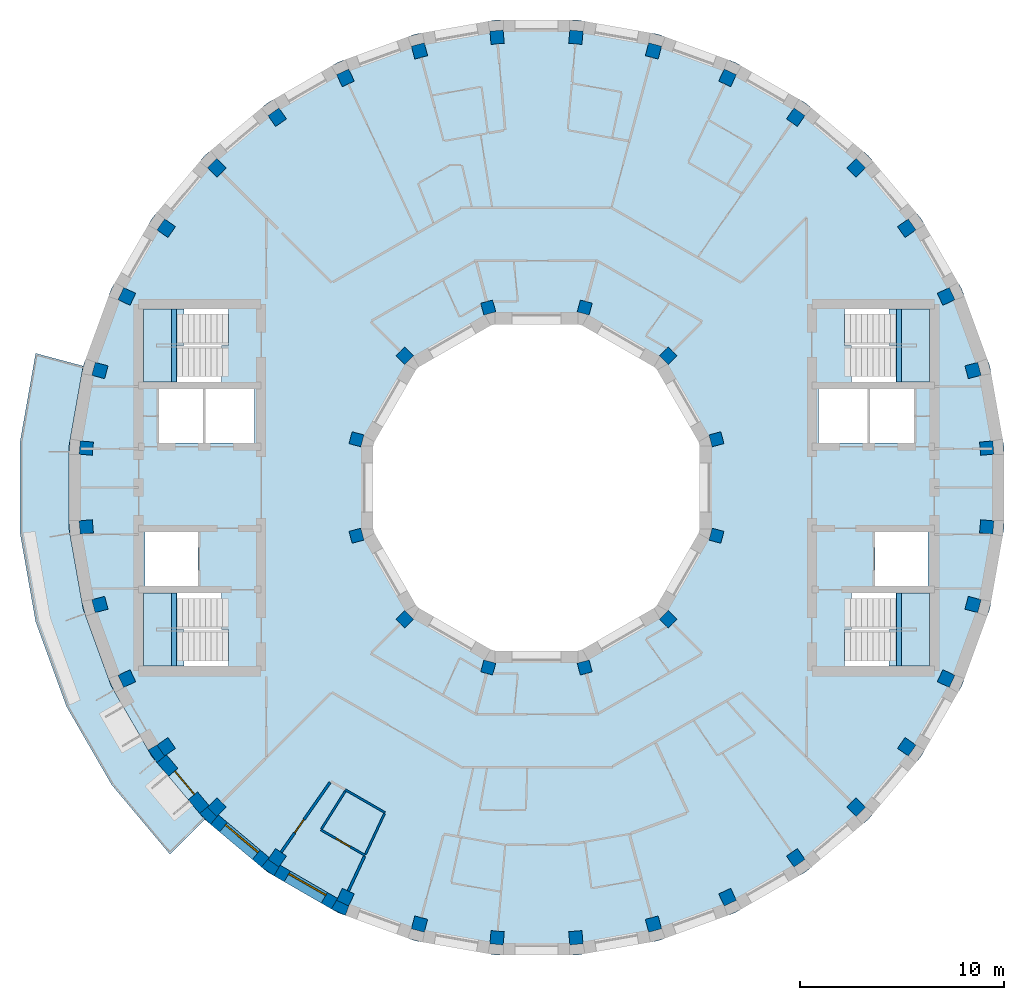
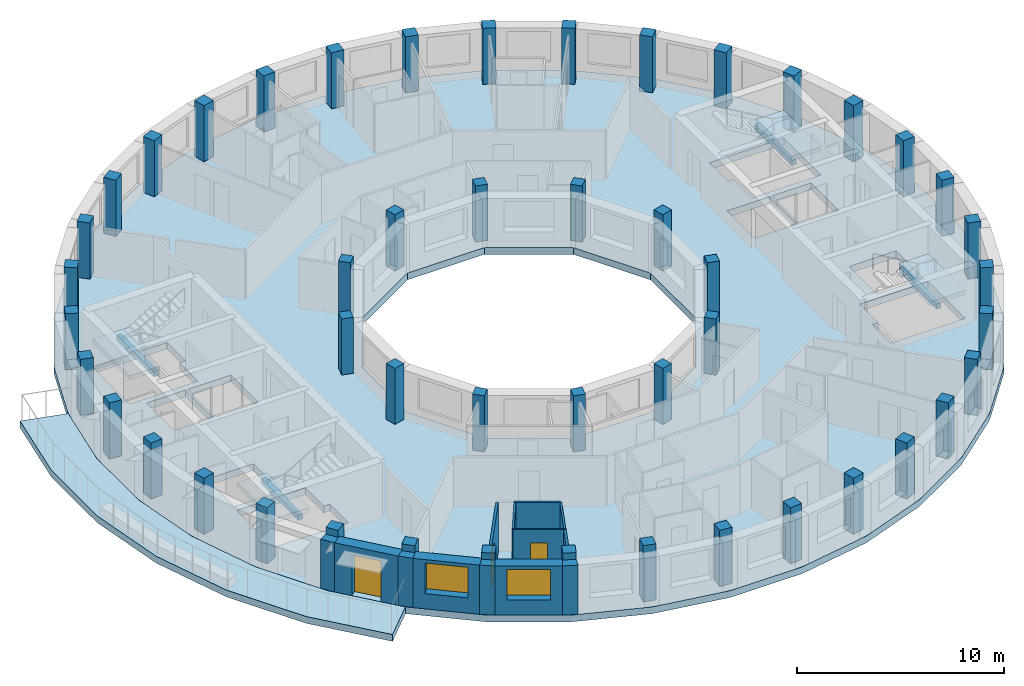
# One storey, part 1 of 10: 48 columns, 13 walls, 6 slabs, 4 beams, 3 doors, 2 windows, 5 openings, 4 elements without a shape of their own.
"""IFC4 building model written with IfcOpenShell, lengths in metres."""

from ifc_helpers import new_model, si_unit, direction, frame, frame_2d, origin, origin_2d, place, context, subcontext, project, spatial, polyline, rectangle, outline, extrude, material, layer, layer_set, material_profile, profile_set, type_object, element, fill, aggregate, save


model = new_model("IFC4")

# Units and contexts
model_context = context("Model", 3, precision=1e-05, world=origin(), true_north=direction((0.0, 1.0)))
body_context = subcontext(model_context, "Body", "Model", "MODEL_VIEW")
ifc_project = project(units=[si_unit("LENGTHUNIT", "METRE"), si_unit("AREAUNIT", "SQUARE_METRE"), si_unit("VOLUMEUNIT", "CUBIC_METRE"), si_unit("PLANEANGLEUNIT", "RADIAN"), si_unit("MASSUNIT", "GRAM", prefix="KILO")], contexts=[model_context])

# Site, building, storey
site_placement = place(None, origin())
site = spatial("IfcSite", under=ifc_project, at=site_placement, CompositionType="ELEMENT")
building_placement = place(site_placement, origin())
building = spatial("IfcBuilding", under=site, at=building_placement, Name="Saqina Gate Tower", CompositionType="ELEMENT")
storey_placement = place(building_placement, frame((0.0, 0.0, 249.5)))
storey = spatial("IfcBuildingStorey", under=building, at=storey_placement, Name="L71", CompositionType="ELEMENT", Elevation=249.5)

# Columns
ifc_material_1 = material(Name="Concrete C60/75", Category="concrete")
ifc_material_profile_1 = material_profile(ifc_material_1, rectangle(XDim=0.60009765625, YDim=0.60009765625, at=origin_2d()), Name="RC 600x600")
ifc_profile_set_1 = profile_set([ifc_material_profile_1], Name="Concrete C60/75")
column_type_1 = type_object("IfcColumnType", Name="STR-COL-IN-D", PredefinedType="COLUMN", material=ifc_profile_set_1)
for number, where, z_axis, x_axis, name in (
    (1, (8.821044921875, 2.363525390625, 0.0), (0.0, 0.0, 1.0), (0.965925826289, 0.258819045103, 0.0), "L71-ICL01"),
    (2, (6.45751953125, 6.45751953125, 0.0), (0.0, 0.0, 1.0), (0.707106781187, 0.707106781187, 0.0), "L71-ICL02"),
    (3, (2.363525390625, 8.821044921875, 0.0), (0.0, 0.0, 1.0), (0.258819045103, 0.965925826289, 0.0), "L71-ICL03"),
    (4, (-2.363525390625, 8.821044921875, 0.0), (0.0, 0.0, 1.0), (-0.258819045103, 0.965925826289, 0.0), "L71-ICL04"),
    (5, (-6.45751953125, 6.45751953125, 0.0), (0.0, 0.0, 1.0), (-0.707106781187, 0.707106781187, 0.0), "L71-ICL05"),
    (6, (-8.821044921875, 2.363525390625, 0.0), (0.0, 0.0, 1.0), (-0.965925826289, 0.258819045103, 0.0), "L71-ICL06"),
    (7, (-8.821044921875, -2.363525390625, 0.0), (0.0, 0.0, 1.0), (-0.965925826289, -0.258819045103, 0.0), "L71-ICL07"),
    (8, (-6.45751953125, -6.45751953125, 0.0), (0.0, 0.0, 1.0), (-0.707106781187, -0.707106781187, 0.0), "L71-ICL08"),
    (9, (-2.363525390625, -8.821044921875, 0.0), (0.0, 0.0, 1.0), (-0.258819045103, -0.965925826289, 0.0), "L71-ICL09"),
    (10, (2.363525390625, -8.821044921875, 0.0), (0.0, 0.0, 1.0), (0.258819045103, -0.965925826289, 0.0), "L71-ICL10"),
    (11, (6.45751953125, -6.45751953125, 0.0), (0.0, 0.0, 1.0), (0.707106781187, -0.707106781187, 0.0), "L71-ICL11"),
    (12, (8.821044921875, -2.363525390625, 0.0), (0.0, 0.0, 1.0), (0.965925826289, -0.258819045103, 0.0), "L71-ICL12"),
):
    element("IfcColumn", number, at=place(storey_placement, frame(where, z_axis=z_axis, x_axis=x_axis)), inside=storey, type_object=column_type_1, Name=name, PredefinedType="COLUMN", context=body_context, shape_type="SweptSolid", body=[
        extrude(rectangle(XDim=0.60009765625, YDim=0.60009765625, at=origin_2d()), origin(), (0.0, 0.0, 1.0), 3.300048828125),
    ])
ifc_material_2 = material(Name="Concrete C60/75", Category="concrete")
ifc_material_profile_2 = material_profile(ifc_material_2, rectangle(XDim=0.64990234375, YDim=0.64990234375, at=origin_2d()), Name="RC 650x650")
ifc_profile_set_2 = profile_set([ifc_material_profile_2], Name="Concrete C60/75")
column_type_2 = type_object("IfcColumnType", Name="STR-COL-OUT-D", PredefinedType="COLUMN", material=ifc_profile_set_2)
for number, where, z_axis, x_axis, name in (
    (13, (22.065673828125, 1.930419921875, 0.0), (0.0, 0.0, 1.0), (0.996194698092, 0.087155742748, 0.0), "L71-COL01"),
    (14, (21.395263671875, 5.73291015625, 0.0), (0.0, 0.0, 1.0), (0.965925826289, 0.258819045103, 0.0), "L71-COL02"),
    (15, (20.07470703125, 9.361083984375, 0.0), (0.0, 0.0, 1.0), (0.906307787037, 0.422618261741, 0.0), "L71-COL03"),
    (16, (18.144287109375, 12.704833984375, 0.0), (0.0, 0.0, 1.0), (0.819152044289, 0.573576436351, 0.0), "L71-COL04"),
    (17, (15.662353515625, 15.662353515625, 0.0), (0.0, 0.0, 1.0), (0.707106781187, 0.707106781187, 0.0), "L71-COL05"),
    (18, (12.704833984375, 18.144287109375, 0.0), (0.0, 0.0, 1.0), (0.573576436351, 0.819152044289, 0.0), "L71-COL06"),
    (19, (9.361083984375, 20.07470703125, 0.0), (0.0, 0.0, 1.0), (0.422618261741, 0.906307787037, 0.0), "L71-COL07"),
    (20, (5.73291015625, 21.395263671875, 0.0), (0.0, 0.0, 1.0), (0.258819045103, 0.965925826289, 0.0), "L71-COL08"),
    (21, (1.930419921875, 22.065673828125, 0.0), (0.0, 0.0, 1.0), (0.087155742748, 0.996194698092, 0.0), "L71-COL09"),
    (22, (-1.930419921875, 22.065673828125, 0.0), (0.0, 0.0, 1.0), (-0.087155742748, 0.996194698092, 0.0), "L71-COL10"),
    (23, (-5.73291015625, 21.395263671875, 0.0), (0.0, 0.0, 1.0), (-0.258819045103, 0.965925826289, 0.0), "L71-COL11"),
    (24, (-9.361083984375, 20.07470703125, 0.0), (0.0, 0.0, 1.0), (-0.422618261741, 0.906307787037, 0.0), "L71-COL12"),
    (25, (-12.704833984375, 18.144287109375, 0.0), (0.0, 0.0, 1.0), (-0.573576436351, 0.819152044289, 0.0), "L71-COL13"),
    (26, (-15.662353515625, 15.662353515625, 0.0), (0.0, 0.0, 1.0), (-0.707106781187, 0.707106781187, 0.0), "L71-COL14"),
    (27, (-18.144287109375, 12.704833984375, 0.0), (0.0, 0.0, 1.0), (-0.819152044289, 0.573576436351, 0.0), "L71-COL15"),
    (28, (-20.07470703125, 9.361083984375, 0.0), (0.0, 0.0, 1.0), (-0.906307787037, 0.422618261741, 0.0), "L71-COL16"),
    (29, (-21.395263671875, 5.73291015625, 0.0), (0.0, 0.0, 1.0), (-0.965925826289, 0.258819045103, 0.0), "L71-COL17"),
    (30, (-22.065673828125, 1.930419921875, 0.0), (0.0, 0.0, 1.0), (-0.996194698092, 0.087155742748, 0.0), "L71-COL18"),
    (31, (-22.065673828125, -1.930419921875, 0.0), (0.0, 0.0, 1.0), (-0.996194698092, -0.087155742748, 0.0), "L71-COL19"),
    (32, (-21.395263671875, -5.73291015625, 0.0), (0.0, 0.0, 1.0), (-0.965925826289, -0.258819045103, 0.0), "L71-COL20"),
    (33, (-20.07470703125, -9.361083984375, 0.0), (0.0, 0.0, 1.0), (-0.906307787037, -0.422618261741, 0.0), "L71-COL21"),
    (34, (-18.144287109375, -12.704833984375, 0.0), (0.0, 0.0, 1.0), (-0.819152044289, -0.573576436351, 0.0), "L71-COL22"),
    (35, (-15.662353515625, -15.662353515625, 0.0), (0.0, 0.0, 1.0), (-0.707106781187, -0.707106781187, 0.0), "L71-COL23"),
    (36, (-12.704833984375, -18.144287109375, 0.0), (0.0, 0.0, 1.0), (-0.573576436351, -0.819152044289, 0.0), "L71-COL24"),
    (37, (-9.361083984375, -20.07470703125, 0.0), (0.0, 0.0, 1.0), (-0.422618261741, -0.906307787037, 0.0), "L71-COL25"),
    (38, (-5.73291015625, -21.395263671875, 0.0), (0.0, 0.0, 1.0), (-0.258819045103, -0.965925826289, 0.0), "L71-COL26"),
    (39, (-1.930419921875, -22.065673828125, 0.0), (0.0, 0.0, 1.0), (-0.087155742748, -0.996194698092, 0.0), "L71-COL27"),
    (40, (1.930419921875, -22.065673828125, 0.0), (0.0, 0.0, 1.0), (0.087155742748, -0.996194698092, 0.0), "L71-COL28"),
    (41, (5.73291015625, -21.395263671875, 0.0), (0.0, 0.0, 1.0), (0.258819045103, -0.965925826289, 0.0), "L71-COL29"),
    (42, (9.361083984375, -20.07470703125, 0.0), (0.0, 0.0, 1.0), (0.422618261741, -0.906307787037, 0.0), "L71-COL30"),
    (43, (12.704833984375, -18.144287109375, 0.0), (0.0, 0.0, 1.0), (0.573576436351, -0.819152044289, 0.0), "L71-COL31"),
    (44, (15.662353515625, -15.662353515625, 0.0), (0.0, 0.0, 1.0), (0.707106781187, -0.707106781187, 0.0), "L71-COL32"),
    (45, (18.144287109375, -12.704833984375, 0.0), (0.0, 0.0, 1.0), (0.819152044289, -0.573576436351, 0.0), "L71-COL33"),
    (46, (20.07470703125, -9.361083984375, 0.0), (0.0, 0.0, 1.0), (0.906307787037, -0.422618261741, 0.0), "L71-COL34"),
    (47, (21.395263671875, -5.73291015625, 0.0), (0.0, 0.0, 1.0), (0.965925826289, -0.258819045103, 0.0), "L71-COL35"),
    (48, (22.065673828125, -1.930419921875, 0.0), (0.0, 0.0, 1.0), (0.996194698092, -0.087155742748, 0.0), "L71-COL36"),
):
    element("IfcColumn", number, at=place(storey_placement, frame(where, z_axis=z_axis, x_axis=x_axis)), inside=storey, type_object=column_type_2, Name=name, PredefinedType="COLUMN", context=body_context, shape_type="SweptSolid", body=[
        extrude(rectangle(XDim=0.64990234375, YDim=0.64990234375, at=origin_2d()), origin(), (0.0, 0.0, 1.0), 3.300048828125),
    ])

# Beams
ifc_material_3 = material(Name="Concrete C40/50", Category="concrete")
ifc_material_profile_3 = material_profile(ifc_material_3, rectangle(XDim=0.25, YDim=0.300048828125, at=origin_2d()), Name="STAIR LANDING BEAM")
ifc_profile_set_3 = profile_set([ifc_material_profile_3], Name="Concrete C40/50")
beam_type = type_object("IfcBeamType", Name="STAIR LANDING BEAM", PredefinedType="BEAM", material=ifc_profile_set_3)
for number, where, z_axis, x_axis, name in (
    (49, (17.77001953125, 5.175048828125, 1.25), (0.0, 1.0, 0.0), (-1.0, 0.0, 0.0), "EXIT STAIR 1 LANDING BEAM"),
    (50, (17.77001953125, -8.75, 1.25), (0.0, 1.0, 0.0), (-1.0, 0.0, 0.0), "EXIT STAIR 2 LANDING BEAM"),
    (51, (-17.77001953125, 5.175048828125, 1.25), (0.0, 1.0, 0.0), (-1.0, 0.0, 0.0), "EXIT STAIR 3 LANDING BEAM"),
    (52, (-17.77001953125, -8.75, 1.25), (0.0, 1.0, 0.0), (-1.0, 0.0, 0.0), "EXIT STAIR 4 LANDING BEAM"),
):
    element("IfcBeam", number, at=place(storey_placement, frame(where, z_axis=z_axis, x_axis=x_axis)), inside=storey, type_object=beam_type, Name=name, PredefinedType="BEAM", context=body_context, shape_type="SweptSolid", body=[
        extrude(rectangle(XDim=0.25, YDim=0.300048828125, at=origin_2d()), origin(), (0.0, 0.0, 1.0), 3.574951171875),
    ])

# Stair, slab
ifc_material_4 = material(Name="Concrete C40/50", Category="concrete")
stair_type = type_object("IfcStairType", Name="EXIT STAIR", PredefinedType="HALF_TURN_STAIR", material=ifc_material_4)
stair_1_placement = place(storey_placement, origin())
stair_1 = element("IfcStair", 53, at=stair_1_placement, inside=storey, type_object=stair_type, Name="EXIT STAIR 1", PredefinedType="HALF_TURN_STAIR")
ifc_material_5 = material(Name="Concrete C40/50", Category="concrete")
ifc_layer_1 = layer(ifc_material_5, 0.25)
ifc_layer_set_1 = layer_set([ifc_layer_1], Name="Concrete C40/50")
slab_type_1 = type_object("IfcSlabType", Name="EXIT STAIR LANDING", PredefinedType="LANDING", material=ifc_layer_set_1)
slab_1_placement = place(storey_placement, frame((0.0, 0.0, 1.39990234375)))
slab_1 = element("IfcSlab", 54, at=slab_1_placement, type_object=slab_type_1, Name="EXIT STAIR 1 LANDING 1", PredefinedType="LANDING", context=body_context, shape_type="SweptSolid", body=[
    extrude(outline(polyline([(19.25, 8.75), (19.25, 5.175048828125), (17.614990234375, 5.175048828125), (17.614990234375, 6.96240234375), (17.284423828125, 6.96240234375), (17.284423828125, 8.75), (17.614990234375, 8.75), (17.6201171875, 8.75), (19.25, 8.75)])), origin(), (0.0, 0.0, 1.0), 0.25),
])
aggregate(stair_1, [slab_1])

stair_2_placement = place(storey_placement, origin())
stair_2 = element("IfcStair", 55, at=stair_2_placement, inside=storey, type_object=stair_type, Name="EXIT STAIR 2", PredefinedType="HALF_TURN_STAIR")
slab_2_placement = place(storey_placement, frame((0.0, 0.0, 1.39990234375)))
slab_2 = element("IfcSlab", 56, at=slab_2_placement, type_object=slab_type_1, Name="EXIT STAIR 2 LANDING 1", PredefinedType="LANDING", context=body_context, shape_type="SweptSolid", body=[
    extrude(outline(polyline([(17.284423828125, -8.75), (17.284423828125, -6.96240234375), (17.614990234375, -6.96240234375), (17.614990234375, -5.175048828125), (19.25, -5.175048828125), (19.25, -8.75), (17.6201171875, -8.75), (17.614990234375, -8.75), (17.284423828125, -8.75)])), origin(), (0.0, 0.0, 1.0), 0.25),
])
aggregate(stair_2, [slab_2])

stair_3_placement = place(storey_placement, origin())
stair_3 = element("IfcStair", 57, at=stair_3_placement, inside=storey, type_object=stair_type, Name="EXIT STAIR 3", PredefinedType="HALF_TURN_STAIR")
slab_3_placement = place(storey_placement, frame((0.0, 0.0, 1.39990234375)))
slab_3 = element("IfcSlab", 58, at=slab_3_placement, type_object=slab_type_1, Name="EXIT STAIR 3 LANDING 1", PredefinedType="LANDING", context=body_context, shape_type="SweptSolid", body=[
    extrude(outline(polyline([(-17.614990234375, 5.175048828125), (-19.25, 5.175048828125), (-19.25, 8.75), (-17.6201171875, 8.75), (-17.614990234375, 8.75), (-17.284423828125, 8.75), (-17.284423828125, 6.96240234375), (-17.614990234375, 6.96240234375), (-17.614990234375, 5.175048828125)])), origin(), (0.0, 0.0, 1.0), 0.25),
])
aggregate(stair_3, [slab_3])

stair_4_placement = place(storey_placement, origin())
stair_4 = element("IfcStair", 59, at=stair_4_placement, inside=storey, type_object=stair_type, Name="EXIT STAIR 4", PredefinedType="HALF_TURN_STAIR")
slab_4_placement = place(storey_placement, frame((0.0, 0.0, 1.39990234375)))
slab_4 = element("IfcSlab", 60, at=slab_4_placement, type_object=slab_type_1, Name="EXIT STAIR 4 LANDING 1", PredefinedType="LANDING", context=body_context, shape_type="SweptSolid", body=[
    extrude(outline(polyline([(-17.284423828125, -6.96240234375), (-17.284423828125, -8.75), (-17.614990234375, -8.75), (-17.6201171875, -8.75), (-19.25, -8.75), (-19.25, -5.175048828125), (-17.614990234375, -5.175048828125), (-17.614990234375, -6.96240234375), (-17.284423828125, -6.96240234375)])), origin(), (0.0, 0.0, 1.0), 0.25),
])
aggregate(stair_4, [slab_4])

# Slabs
ifc_material_6 = material(Name="Concrete C40/50", Category="concrete")
ifc_layer_2 = layer(ifc_material_6, 0.39990234375)
ifc_layer_set_2 = layer_set([ifc_layer_2], Name="Concrete C40/50")
slab_type_2 = type_object("IfcSlabType", Name="STR-POST-TENSIONED FLAT PLATE FLOOR-400", PredefinedType="FLOOR", material=ifc_layer_set_2)
slab_5_placement = place(storey_placement, frame((0.0, 0.0, -0.39990234375)))
element("IfcSlab", 61, at=slab_5_placement, inside=storey, type_object=slab_type_2, Name="L71-SLB01", PredefinedType="FLOOR", context=body_context, shape_type="SweptSolid", body=[
    extrude(outline(polyline([(22.21630859375, -5.952880859375), (22.91259765625, -2.004638671875), (22.91259765625, 2.004638671875), (22.21630859375, 5.952880859375), (20.844970703125, 9.72021484375), (18.840576171875, 13.192138671875), (16.263427734375, 16.263427734375), (13.192138671875, 18.840576171875), (9.72021484375, 20.844970703125), (5.952880859375, 22.21630859375), (2.004638671875, 22.91259765625), (-2.004638671875, 22.91259765625), (-5.952880859375, 22.21630859375), (-9.72021484375, 20.844970703125), (-13.192138671875, 18.840576171875), (-16.263427734375, 16.263427734375), (-18.840576171875, 13.192138671875), (-20.844970703125, 9.72021484375), (-22.21630859375, 5.952880859375), (-22.91259765625, 2.004638671875), (-22.91259765625, -2.004638671875), (-22.21630859375, -5.952880859375), (-20.844970703125, -9.72021484375), (-18.840576171875, -13.192138671875), (-16.263427734375, -16.263427734375), (-13.192138671875, -18.840576171875), (-9.72021484375, -20.844970703125), (-5.952880859375, -22.21630859375), (-2.004638671875, -22.91259765625), (2.004638671875, -22.91259765625), (5.952880859375, -22.21630859375), (9.72021484375, -20.844970703125), (13.192138671875, -18.840576171875), (16.263427734375, -16.263427734375), (18.840576171875, -13.192138671875), (20.844970703125, -9.72021484375), (22.21630859375, -5.952880859375)]), holes=[polyline([(2.1435546875, 8.0), (5.8564453125, 5.8564453125), (8.0, 2.1435546875), (8.0, -2.1435546875), (5.8564453125, -5.8564453125), (2.1435546875, -8.0), (-2.1435546875, -8.0), (-5.8564453125, -5.8564453125), (-8.0, -2.1435546875), (-8.0, 2.1435546875), (-5.8564453125, 5.8564453125), (-2.1435546875, 8.0), (2.1435546875, 8.0)]), polyline([(-15.10498046875, -8.75), (-19.25, -8.75), (-19.25, -6.96240234375), (-19.25, -5.175048828125), (-15.435546875, -5.175048828125), (-15.435546875, -6.96240234375), (-15.10498046875, -6.96240234375), (-15.10498046875, -8.75)]), polyline([(-16.590087890625, -2.175048828125), (-16.590087890625, -4.824951171875), (-19.18994140625, -4.824951171875), (-19.18994140625, -2.175048828125), (-16.590087890625, -2.175048828125)]), polyline([(-16.340087890625, 4.824951171875), (-16.340087890625, 2.175048828125), (-18.5, 2.175048828125), (-18.5, 4.824951171875), (-16.340087890625, 4.824951171875)]), polyline([(-13.81005859375, 4.824951171875), (-13.81005859375, 2.175048828125), (-16.219970703125, 2.175048828125), (-16.219970703125, 4.824951171875), (-13.81005859375, 4.824951171875)]), polyline([(-19.25, 6.96240234375), (-19.25, 8.75), (-15.10498046875, 8.75), (-15.10498046875, 6.96240234375), (-15.435546875, 6.96240234375), (-15.435546875, 5.175048828125), (-19.25, 5.175048828125), (-19.25, 6.96240234375)]), polyline([(15.10498046875, -8.75), (15.10498046875, -6.96240234375), (15.435546875, -6.96240234375), (15.435546875, -5.175048828125), (19.25, -5.175048828125), (19.25, -6.96240234375), (19.25, -8.75), (15.10498046875, -8.75)]), polyline([(19.18994140625, -2.175048828125), (19.18994140625, -4.824951171875), (16.590087890625, -4.824951171875), (16.590087890625, -2.175048828125), (19.18994140625, -2.175048828125)]), polyline([(16.219970703125, 4.824951171875), (16.219970703125, 2.175048828125), (13.81005859375, 2.175048828125), (13.81005859375, 4.824951171875), (16.219970703125, 4.824951171875)]), polyline([(18.5, 4.824951171875), (18.5, 2.175048828125), (16.340087890625, 2.175048828125), (16.340087890625, 4.824951171875), (18.5, 4.824951171875)]), polyline([(15.435546875, 6.96240234375), (15.10498046875, 6.96240234375), (15.10498046875, 8.75), (19.25, 8.75), (19.25, 6.96240234375), (19.25, 5.175048828125), (15.435546875, 5.175048828125), (15.435546875, 6.96240234375)])]), origin(), (0.0, 0.0, 1.0), 0.39990234375),
])
ifc_material_7 = material(Name="Concrete C40/50", Category="concrete")
ifc_layer_3 = layer(ifc_material_7, 0.39990234375)
ifc_layer_set_3 = layer_set([ifc_layer_3], Name="Concrete C40/50")
slab_type_3 = type_object("IfcSlabType", Name="STR-POST-TENSIONED FLAT PLATE TERRACE-400", PredefinedType="FLOOR", material=ifc_layer_set_3)
slab_6_placement = place(storey_placement, frame((0.0, 0.0, -0.39990234375)))
element("IfcSlab", 62, at=slab_6_placement, inside=storey, type_object=slab_type_3, Name="L71-TRS01", PredefinedType="FLOOR", context=body_context, shape_type="SweptSolid", body=[
    extrude(outline(polyline([(-22.21630859375, 5.952880859375), (-22.91259765625, 2.004638671875), (-22.91259765625, -2.004638671875), (-22.21630859375, -5.952880859375), (-20.844970703125, -9.72021484375), (-18.840576171875, -13.192138671875), (-16.263427734375, -16.263427734375), (-17.967041015625, -17.967041015625), (-20.81396484375, -14.57421875), (-23.028564453125, -10.73828125), (-24.54345703125, -6.576416015625), (-25.3125, -2.214599609375), (-25.3125, 2.214599609375), (-24.54345703125, 6.576416015625), (-22.21630859375, 5.952880859375)])), origin(), (0.0, 0.0, 1.0), 0.39990234375),
])

# Walls
ifc_material_8 = material(Name="Brick masonry (buff)", Category="masonry")
wall_type_1 = type_object("IfcWallType", Name="BRICK PIER COPING BUFF", PredefinedType="SOLIDWALL", material=ifc_material_8)
wall_1_placement = place(storey_placement, origin())
element("IfcWall", 63, at=wall_1_placement, inside=storey, type_object=wall_type_1, Name="Pier cap L71 column 22", PredefinedType="SOLIDWALL", context=body_context, shape_type="SweptSolid", body=[
    extrude(outline(polyline([(-19.02978515625, -12.8642578125), (-18.59716796875, -13.482421875), (-18.137451171875, -13.0966796875), (-18.22412109375, -13.157470703125), (-18.596923828125, -12.625), (-18.51025390625, -12.564208984375), (-19.02978515625, -12.8642578125)])), origin(), (0.0, 0.0, 1.0), 2.89990234375),
])
wall_2_placement = place(storey_placement, origin())
element("IfcWall", 64, at=wall_2_placement, inside=storey, type_object=wall_type_1, Name="Pier cap L71 column 23", PredefinedType="SOLIDWALL", context=body_context, shape_type="SweptSolid", body=[
    extrude(outline(polyline([(-15.973388671875, -16.5068359375), (-15.587646484375, -16.04736328125), (-15.662353515625, -16.1220703125), (-16.1220703125, -15.662353515625), (-16.04736328125, -15.587646484375), (-16.5068359375, -15.973388671875), (-15.973388671875, -16.5068359375)])), origin(), (0.0, 0.0, 1.0), 2.89990234375),
])
wall_3_placement = place(storey_placement, origin())
element("IfcWall", 65, at=wall_3_placement, inside=storey, type_object=wall_type_1, Name="Pier cap L71 column 24", PredefinedType="SOLIDWALL", context=body_context, shape_type="SweptSolid", body=[
    extrude(outline(polyline([(-12.8642578125, -19.02978515625), (-12.564208984375, -18.51025390625), (-12.625, -18.596923828125), (-13.157470703125, -18.22412109375), (-13.0966796875, -18.137451171875), (-13.482421875, -18.59716796875), (-12.8642578125, -19.02978515625)])), origin(), (0.0, 0.0, 1.0), 2.89990234375),
])
wall_4_placement = place(storey_placement, origin())
element("IfcWall", 66, at=wall_4_placement, inside=storey, type_object=wall_type_1, Name="Pier cap L71 column 25", PredefinedType="SOLIDWALL", context=body_context, shape_type="SweptSolid", body=[
    extrude(outline(polyline([(-10.048095703125, -20.65576171875), (-9.3642578125, -20.974609375), (-9.1591796875, -20.410888671875), (-9.203857421875, -20.506591796875), (-9.79296875, -20.23193359375), (-9.748291015625, -20.135986328125), (-10.048095703125, -20.65576171875)])), origin(), (0.0, 0.0, 1.0), 2.89990234375),
])

# Wall, opening, door
ifc_material_9 = material(Name="Brick masonry (buff)", Category="masonry")
ifc_layer_4 = layer(ifc_material_9, 0.60009765625)
ifc_layer_set_4 = layer_set([ifc_layer_4], Name="FW-BRICK-BUFF")
wall_type_2 = type_object("IfcWallType", Name="FW-BRICK-BUFF", PredefinedType="SOLIDWALL", material=ifc_layer_set_4)
wall_5_placement = place(storey_placement, frame((-18.3671875, -13.28955078125, 0.0), z_axis=(0.0, 0.0, 1.0), x_axis=(0.64277291405, -0.766056773982, 0.0)))
wall_5 = element("IfcWall", 67, at=wall_5_placement, inside=storey, type_object=wall_type_2, Name="Facade wall L71 facet 22", PredefinedType="SOLIDWALL", context=body_context, shape_type="SweptSolid", body=[
    extrude(rectangle(XDim=3.251708984375, YDim=0.60009765625, at=frame_2d((1.6259765625, 0.0))), origin(), (0.0, 0.0, 1.0), 2.89990234375),
])
opening_1_placement = place(wall_5_placement, frame((0.875732421875, 0.0, 0.0)))
opening_1 = element("IfcOpeningElement", 68, at=opening_1_placement, cuts=wall_5, Name="Opening G21-D81", PredefinedType="OPENING", context=body_context, shape_type="SweptSolid", body=[
    extrude(rectangle(XDim=1.5, YDim=2.39990234375, at=frame_2d((0.75, 1.199951171875))), frame((0.0, 0.31201171875, 0.0), z_axis=(0.0, -1.0, 0.0), x_axis=(1.0, 0.0, 0.0)), (0.0, 0.0, 1.0), 0.6240234375),
])
ifc_material_10 = material(Name="Aluminium glazing", Category="aluminium")
door_type_1 = type_object("IfcDoorType", Name="GD-D", OperationType="DOUBLE_DOOR_SINGLE_SWING", PredefinedType="DOOR", material=ifc_material_10)
door_1_placement = place(opening_1_placement, frame((1.5, 0.0, 0.0), z_axis=(0.0, 0.0, 1.0), x_axis=(-1.0, 0.0, 0.0)))
door_1 = element("IfcDoor", 69, at=door_1_placement, inside=storey, type_object=door_type_1, Name="Terrace door L71 facet 22", OperationType="DOUBLE_DOOR_SINGLE_SWING", OverallHeight=2.39990234375, OverallWidth=1.5, PredefinedType="DOOR", context=body_context, shape_type="SweptSolid", body=[
    extrude(rectangle(XDim=1.5, YDim=2.39990234375, at=frame_2d((0.75, 1.199951171875))), frame((0.0, -0.0751953125, 0.0), z_axis=(0.0, -1.0, 0.0), x_axis=(1.0, 0.0, 0.0)), (0.0, 0.0, 1.0), 0.050048828125),
])
fill(opening_1, door_1)

# Wall, opening, window
wall_6_placement = place(storey_placement, frame((-15.780517578125, -16.277099609375, 0.0), z_axis=(0.0, 0.0, 1.0), x_axis=(0.766056773982, -0.64277291405, 0.0)))
wall_6 = element("IfcWall", 70, at=wall_6_placement, inside=storey, type_object=wall_type_2, Name="Facade wall L71 facet 23", PredefinedType="SOLIDWALL", context=body_context, shape_type="SweptSolid", body=[
    extrude(rectangle(XDim=3.251708984375, YDim=0.60009765625, at=frame_2d((1.6259765625, 0.0))), origin(), (0.0, 0.0, 1.0), 2.89990234375),
])
opening_2_placement = place(wall_6_placement, frame((0.57568359375, 0.0, 0.89990234375)))
opening_2 = element("IfcOpeningElement", 71, at=opening_2_placement, cuts=wall_6, Name="Opening G21-W14", PredefinedType="OPENING", context=body_context, shape_type="SweptSolid", body=[
    extrude(rectangle(XDim=2.10009765625, YDim=1.800048828125, at=frame_2d((1.050048828125, 0.89990234375))), frame((0.0, 0.31201171875, 0.0), z_axis=(0.0, -1.0, 0.0), x_axis=(1.0, 0.0, 0.0)), (0.0, 0.0, 1.0), 0.6240234375),
])
ifc_material_11 = material(Name="Aluminium glazing", Category="aluminium")
window_type = type_object("IfcWindowType", Name="WN-D", PartitioningType="SINGLE_PANEL", PredefinedType="WINDOW", material=ifc_material_11)
window_1_placement = place(opening_2_placement, origin())
window_1 = element("IfcWindow", 72, at=window_1_placement, inside=storey, type_object=window_type, Name="Window L71 facet 23", OverallHeight=1.800048828125, OverallWidth=2.10009765625, PartitioningType="SINGLE_PANEL", PredefinedType="WINDOW", context=body_context, shape_type="SweptSolid", body=[
    extrude(rectangle(XDim=2.10009765625, YDim=1.800048828125, at=frame_2d((1.050048828125, 0.89990234375))), frame((0.0, 0.179931640625, 0.0), z_axis=(0.0, -1.0, 0.0), x_axis=(1.0, 0.0, 0.0)), (0.0, 0.0, 1.0), 0.06005859375),
])
fill(opening_2, window_1)

wall_7_placement = place(storey_placement, frame((-12.71435546875, -18.77001953125, 0.0), z_axis=(0.0, 0.0, 1.0), x_axis=(0.866016800201, -0.500014901547, 0.0)))
wall_7 = element("IfcWall", 73, at=wall_7_placement, inside=storey, type_object=wall_type_2, Name="Facade wall L71 facet 24", PredefinedType="SOLIDWALL", context=body_context, shape_type="SweptSolid", body=[
    extrude(rectangle(XDim=3.251953125, YDim=0.60009765625, at=frame_2d((1.6259765625, 0.0))), origin(), (0.0, 0.0, 1.0), 2.89990234375),
])
opening_3_placement = place(wall_7_placement, frame((0.57568359375, 0.0, 0.89990234375)))
opening_3 = element("IfcOpeningElement", 74, at=opening_3_placement, cuts=wall_7, Name="Opening G21-W15", PredefinedType="OPENING", context=body_context, shape_type="SweptSolid", body=[
    extrude(rectangle(XDim=2.10009765625, YDim=1.800048828125, at=frame_2d((1.050048828125, 0.89990234375))), frame((0.0, 0.31201171875, 0.0), z_axis=(0.0, -1.0, 0.0), x_axis=(1.0, 0.0, 0.0)), (0.0, 0.0, 1.0), 0.6240234375),
])
window_2_placement = place(opening_3_placement, origin())
window_2 = element("IfcWindow", 75, at=window_2_placement, inside=storey, type_object=window_type, Name="Window L71 facet 24", OverallHeight=1.800048828125, OverallWidth=2.10009765625, PartitioningType="SINGLE_PANEL", PredefinedType="WINDOW", context=body_context, shape_type="SweptSolid", body=[
    extrude(rectangle(XDim=2.10009765625, YDim=1.800048828125, at=frame_2d((1.050048828125, 0.89990234375))), frame((0.0, 0.179931640625, 0.0), z_axis=(0.0, -1.0, 0.0), x_axis=(1.0, 0.0, 0.0)), (0.0, 0.0, 1.0), 0.06005859375),
])
fill(opening_3, window_2)

# Wall, opening, door
ifc_material_12 = material(Name="Gypsum board on steel studs, 100 mm", Category="steel")
ifc_layer_5 = layer(ifc_material_12, 0.10009765625)
ifc_layer_set_5 = layer_set([ifc_layer_5], Name="PARTITION 100")
wall_type_3 = type_object("IfcWallType", Name="PARTITION 100", PredefinedType="PARTITIONING", material=ifc_layer_set_5)
wall_8_placement = place(storey_placement, frame((-10.56494140625, -16.778076171875, 0.0), z_axis=(0.0, 0.0, 1.0), x_axis=(0.866060068719, -0.499939953764, 0.0)))
wall_8 = element("IfcWall", 76, at=wall_8_placement, inside=storey, type_object=wall_type_3, Name="PARTITION PW3-14", PredefinedType="PARTITIONING", context=body_context, shape_type="SweptSolid", body=[
    extrude(rectangle(XDim=2.493896484375, YDim=0.10009765625, at=frame_2d((1.2470703125, 0.0))), origin(), (0.0, 0.0, 1.0), 2.89990234375),
])
opening_4_placement = place(wall_8_placement, frame((0.84716796875, 0.0, 0.0)))
opening_4 = element("IfcOpeningElement", 77, at=opening_4_placement, cuts=wall_8, Name="Opening G21-D27", PredefinedType="OPENING", context=body_context, shape_type="SweptSolid", body=[
    extrude(rectangle(XDim=0.800048828125, YDim=2.10009765625, at=frame_2d((0.39990234375, 1.050048828125))), frame((0.0, 0.06201171875, 0.0), z_axis=(0.0, -1.0, 0.0), x_axis=(1.0, 0.0, 0.0)), (0.0, 0.0, 1.0), 0.1240234375),
])
ifc_material_13 = material(Name="Timber door leaf, 800 mm", Category="wood")
door_type_2 = type_object("IfcDoorType", Name="DOOR 800 TIMBER", OperationType="SINGLE_SWING_LEFT", PredefinedType="DOOR", material=ifc_material_13)
door_2_placement = place(opening_4_placement, frame((0.800048828125, 0.0, 0.0), z_axis=(0.0, 0.0, 1.0), x_axis=(-1.0, 0.0, 0.0)))
door_2 = element("IfcDoor", 78, at=door_2_placement, inside=storey, type_object=door_type_2, Name="DOOR G21-D27", OperationType="SINGLE_SWING_LEFT", OverallHeight=2.10009765625, OverallWidth=0.800048828125, PredefinedType="DOOR", context=body_context, shape_type="SweptSolid", body=[
    extrude(rectangle(XDim=0.800048828125, YDim=2.10009765625, at=frame_2d((0.39990234375, 1.050048828125))), frame((0.0, 0.02490234375, 0.0), z_axis=(0.0, -1.0, 0.0), x_axis=(1.0, 0.0, 0.0)), (0.0, 0.0, 1.0), 0.050048828125),
])
fill(opening_4, door_2)

# Walls
wall_9_placement = place(storey_placement, frame((-9.38134765625, -14.804931640625, 0.0), z_axis=(0.0, 0.0, 1.0), x_axis=(0.866061092166, -0.499938180815, 0.0)))
element("IfcWall", 79, at=wall_9_placement, inside=storey, type_object=wall_type_3, Name="PARTITION PW3-15", PredefinedType="PARTITIONING", context=body_context, shape_type="SweptSolid", body=[
    extrude(rectangle(XDim=2.253173828125, YDim=0.10009765625, at=frame_2d((1.12646484375, 0.0))), origin(), (0.0, 0.0, 1.0), 2.89990234375),
])
wall_10_placement = place(storey_placement, frame((-10.538330078125, -16.735595703125, 0.0), z_axis=(0.0, 0.0, 1.0), x_axis=(0.532952249521, 0.846145318329, 0.0)))
element("IfcWall", 80, at=wall_10_placement, inside=storey, type_object=wall_type_3, Name="PARTITION PW3-38", PredefinedType="PARTITIONING", context=body_context, shape_type="SweptSolid", body=[
    extrude(rectangle(XDim=2.189697265625, YDim=0.10009765625, at=frame_2d((1.0947265625, 0.0))), origin(), (0.0, 0.0, 1.0), 2.89990234375),
])
wall_11_placement = place(storey_placement, frame((-8.378662109375, -17.96826171875, 0.0), z_axis=(0.0, 0.0, 1.0), x_axis=(0.423001064323, 0.90612918482, 0.0)))
element("IfcWall", 81, at=wall_11_placement, inside=storey, type_object=wall_type_3, Name="PARTITION PW3-40", PredefinedType="PARTITIONING", context=body_context, shape_type="SweptSolid", body=[
    extrude(rectangle(XDim=2.19677734375, YDim=0.10009765625, at=frame_2d((1.098388671875, 0.0))), origin(), (0.0, 0.0, 1.0), 2.89990234375),
])

# Wall, opening, door
ifc_material_14 = material(Name="Gypsum board on steel studs, 125 mm, fire rated", Category="steel")
ifc_layer_6 = layer(ifc_material_14, 0.125)
ifc_layer_set_6 = layer_set([ifc_layer_6], Name="PARTITION EI 30 125")
wall_type_4 = type_object("IfcWallType", Name="PARTITION EI 30 125", PredefinedType="PARTITIONING", material=ifc_layer_set_6)
wall_12_placement = place(storey_placement, frame((-12.5126953125, -17.869873046875, 0.0), z_axis=(0.0, 0.0, 1.0), x_axis=(0.573815640039, 0.818984500004, 0.0)))
wall_12 = element("IfcWall", 82, at=wall_12_placement, inside=storey, type_object=wall_type_4, Name="PARTITION PW1-31", PredefinedType="PARTITIONING", context=body_context, shape_type="SweptSolid", body=[
    extrude(rectangle(XDim=4.17333984375, YDim=0.125, at=frame_2d((2.086669921875, 0.0))), origin(), (0.0, 0.0, 1.0), 2.89990234375),
])
opening_5_placement = place(wall_12_placement, frame((1.1455078125, 0.0, 0.0)))
opening_5 = element("IfcOpeningElement", 83, at=opening_5_placement, cuts=wall_12, Name="Opening G21-D24", PredefinedType="OPENING", context=body_context, shape_type="SweptSolid", body=[
    extrude(rectangle(XDim=0.800048828125, YDim=2.10009765625, at=frame_2d((0.39990234375, 1.050048828125))), frame((0.0, 0.074462890625, 0.0), z_axis=(0.0, -1.0, 0.0), x_axis=(1.0, 0.0, 0.0)), (0.0, 0.0, 1.0), 0.14892578125),
])
ifc_material_15 = material(Name="Fire door leaf EI 30, 800 mm")
door_type_3 = type_object("IfcDoorType", Name="DOOR 800 EI 30", OperationType="SINGLE_SWING_LEFT", PredefinedType="DOOR", material=ifc_material_15)
door_3_placement = place(opening_5_placement, origin())
door_3 = element("IfcDoor", 84, at=door_3_placement, inside=storey, type_object=door_type_3, Name="DOOR G21-D24", OperationType="SINGLE_SWING_LEFT", OverallHeight=2.10009765625, OverallWidth=0.800048828125, PredefinedType="DOOR", context=body_context, shape_type="SweptSolid", body=[
    extrude(rectangle(XDim=0.800048828125, YDim=2.10009765625, at=frame_2d((0.39990234375, 1.050048828125))), frame((0.0, 0.02490234375, 0.0), z_axis=(0.0, -1.0, 0.0), x_axis=(1.0, 0.0, 0.0)), (0.0, 0.0, 1.0), 0.050048828125),
])
fill(opening_5, door_3)

# Wall
wall_13_placement = place(storey_placement, frame((-9.220947265625, -19.7705078125, 0.0), z_axis=(0.0, 0.0, 1.0), x_axis=(0.423433748068, 0.905927072671, 0.0)))
element("IfcWall", 85, at=wall_13_placement, inside=storey, type_object=wall_type_4, Name="PARTITION PW1-33", PredefinedType="PARTITIONING", context=body_context, shape_type="SweptSolid", body=[
    extrude(rectangle(XDim=1.876708984375, YDim=0.125, at=frame_2d((0.9384765625, 0.0))), origin(), (0.0, 0.0, 1.0), 2.89990234375),
])

save(model, "model.ifc")
